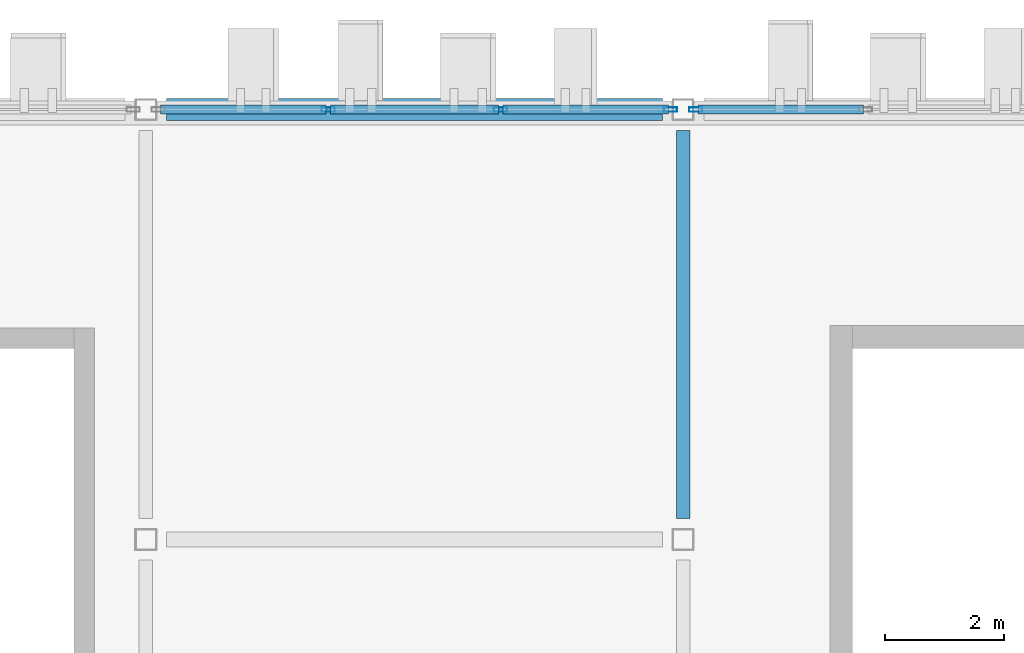
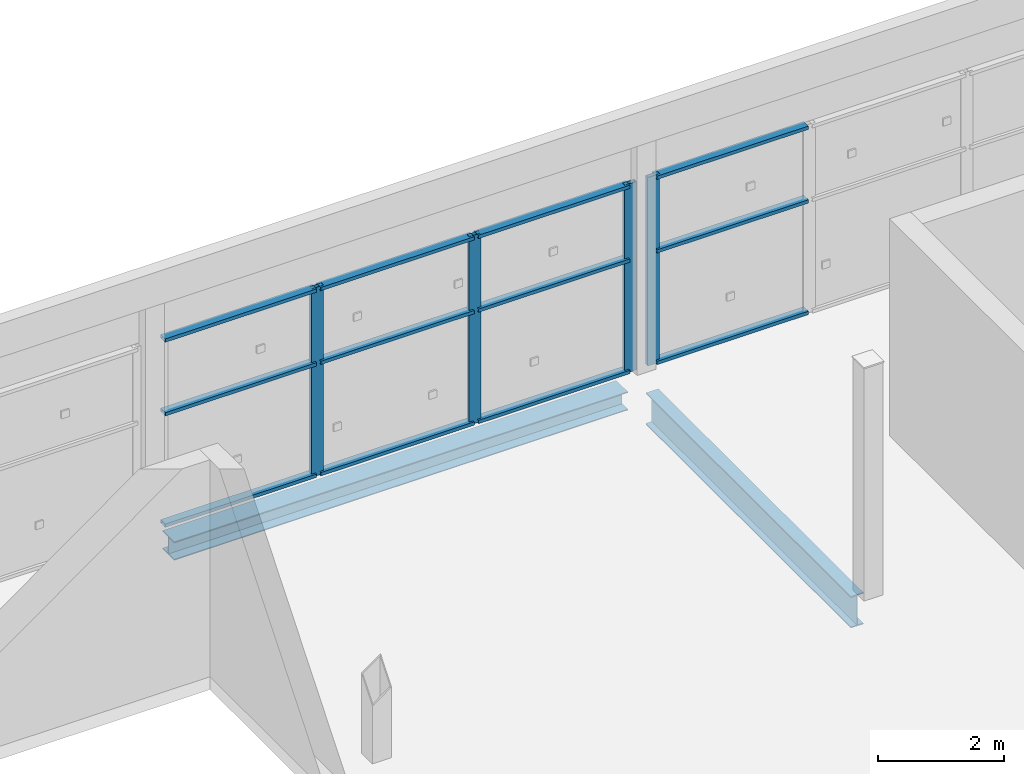
# One storey, part 71 of 124: 16 members, 2 beams, 2 elements without a shape of their own.
"""IFC4 building model written with IfcOpenShell, lengths in metres."""

from ifc_helpers import new_model, si_unit, direction, frame, origin, origin_2d, place, context, subcontext, project, spatial, hollow_rectangle, i_section, extrude, material, layer, layer_set, material_profile, profile_set, type_object, element, aggregate, save


model = new_model("IFC4")

# Units and contexts
model_context = context("Model", 3, precision=1e-05, world=origin(), true_north=direction((0.0, 1.0)))
body_context = subcontext(model_context, "Body", "Model", "MODEL_VIEW")
ifc_project = project(units=[si_unit("LENGTHUNIT", "METRE"), si_unit("AREAUNIT", "SQUARE_METRE"), si_unit("VOLUMEUNIT", "CUBIC_METRE"), si_unit("PLANEANGLEUNIT", "RADIAN"), si_unit("MASSUNIT", "GRAM", prefix="KILO")], contexts=[model_context])

# Site, building, storey
site_placement = place(None, origin())
site = spatial("IfcSite", under=ifc_project, at=site_placement, CompositionType="ELEMENT")
building_placement = place(site_placement, origin())
building = spatial("IfcBuilding", under=site, at=building_placement, Name="Celestram Park Convention Centre", CompositionType="ELEMENT")
storey_placement = place(building_placement, frame((0.0, 0.0, 15.300048828125)))
storey = spatial("IfcBuildingStorey", under=building, at=storey_placement, Name="L03", CompositionType="ELEMENT", Elevation=15.300048828125)

# Curtain wall, members
ifc_material_1 = material(Name="Anodised Aluminium Alloy 6063-T6", Category="aluminium")
ifc_layer = layer(ifc_material_1, 0.179931640625)
ifc_layer_set = layer_set([ifc_layer], Name="Anodised Aluminium Alloy 6063-T6")
curtain_wall_type = type_object("IfcCurtainWallType", Name="ARC-CW-865X365", PredefinedType="NOTDEFINED", material=ifc_layer_set)
curtain_wall_1_placement = place(storey_placement, origin())
curtain_wall_1 = element("IfcCurtainWall", 1, at=curtain_wall_1_placement, inside=storey, type_object=curtain_wall_type, Name="Unitised curtain wall CU-L03-212", PredefinedType="NOTDEFINED")
ifc_material_profile_1 = material_profile(ifc_material_1, hollow_rectangle(XDim=0.074951171875, YDim=0.219970703125, WallThickness=0.00390625, at=origin_2d()), Name="ALU75X220X4")
ifc_profile_set_1 = profile_set([ifc_material_profile_1], Name="Anodised Aluminium Alloy 6063-T6")
member_type_1 = type_object("IfcMemberType", Name="ARC-CWM-180", PredefinedType="MULLION", material=ifc_profile_set_1)
member_1_placement = place(storey_placement, frame((120.0576171875, 165.60009765625, 0.0), z_axis=(0.0, 0.0, 1.0), x_axis=(0.0, 1.0, 0.0)))
member_1 = element("IfcMember", 2, at=member_1_placement, type_object=member_type_1, Name="CW-86X36 mullion 2", PredefinedType="MULLION", context=body_context, shape_type="SweptSolid", body=[
    extrude(hollow_rectangle(XDim=0.074951171875, YDim=0.219970703125, WallThickness=0.00390625, at=origin_2d()), origin(), (0.0, 0.0, 1.0), 3.64794921875),
])
member_2_placement = place(storey_placement, frame((122.9423828125, 165.60009765625, 0.0), z_axis=(0.0, 0.0, 1.0), x_axis=(0.0, 1.0, 0.0)))
member_2 = element("IfcMember", 3, at=member_2_placement, type_object=member_type_1, Name="CW-86X36 mullion 3", PredefinedType="MULLION", context=body_context, shape_type="SweptSolid", body=[
    extrude(hollow_rectangle(XDim=0.074951171875, YDim=0.219970703125, WallThickness=0.00390625, at=origin_2d()), origin(), (0.0, 0.0, 1.0), 3.64794921875),
])
member_3_placement = place(storey_placement, frame((125.78955078125, 165.60009765625, 0.0), z_axis=(0.0, 0.0, 1.0), x_axis=(0.0, 1.0, 0.0)))
member_3 = element("IfcMember", 4, at=member_3_placement, type_object=member_type_1, Name="CW-86X36 mullion 4", PredefinedType="MULLION", context=body_context, shape_type="SweptSolid", body=[
    extrude(hollow_rectangle(XDim=0.074951171875, YDim=0.219970703125, WallThickness=0.00390625, at=origin_2d()), origin(), (0.0, 0.0, 1.0), 3.64794921875),
])

# Curtain wall, member
curtain_wall_2_placement = place(storey_placement, origin())
curtain_wall_2 = element("IfcCurtainWall", 5, at=curtain_wall_2_placement, inside=storey, type_object=curtain_wall_type, Name="Unitised curtain wall CU-L03-213", PredefinedType="NOTDEFINED")
member_4_placement = place(storey_placement, frame((126.21044921875, 165.60009765625, 0.0), z_axis=(0.0, 0.0, 1.0), x_axis=(0.0, 1.0, 0.0)))
member_4 = element("IfcMember", 6, at=member_4_placement, type_object=member_type_1, Name="CW-86X36 mullion 1", PredefinedType="MULLION", context=body_context, shape_type="SweptSolid", body=[
    extrude(hollow_rectangle(XDim=0.074951171875, YDim=0.219970703125, WallThickness=0.00390625, at=origin_2d()), origin(), (0.0, 0.0, 1.0), 3.64794921875),
])

# Member
ifc_material_profile_2 = material_profile(ifc_material_1, hollow_rectangle(XDim=0.14990234375, YDim=0.06494140625, WallThickness=0.0029296875, at=origin_2d()), Name="ALU150X65X3")
ifc_profile_set_2 = profile_set([ifc_material_profile_2], Name="Anodised Aluminium Alloy 6063-T6")
member_type_2 = type_object("IfcMemberType", Name="ARC-CWT-150", PredefinedType="USERDEFINED", material=ifc_profile_set_2)
member_5_placement = place(storey_placement, frame((117.248046875, 165.60009765625, 0.032470703125), z_axis=(1.0, 0.0, 0.0), x_axis=(0.0, 1.0, 0.0)))
member_5 = element("IfcMember", 7, at=member_5_placement, type_object=member_type_2, Name="CW-86X36 transom 1.1", ObjectType="TRANSOM", PredefinedType="USERDEFINED", context=body_context, shape_type="SweptSolid", body=[
    extrude(hollow_rectangle(XDim=0.14990234375, YDim=0.06494140625, WallThickness=0.0029296875, at=origin_2d()), origin(), (0.0, 0.0, 1.0), 2.772216796875),
])

member_6_placement = place(storey_placement, frame((117.248046875, 165.60009765625, 2.18896484375), z_axis=(1.0, 0.0, 0.0), x_axis=(0.0, 1.0, 0.0)))
member_6 = element("IfcMember", 8, at=member_6_placement, type_object=member_type_2, Name="CW-86X36 transom 1.2", ObjectType="TRANSOM", PredefinedType="USERDEFINED", context=body_context, shape_type="SweptSolid", body=[
    extrude(hollow_rectangle(XDim=0.14990234375, YDim=0.06494140625, WallThickness=0.0029296875, at=origin_2d()), origin(), (0.0, 0.0, 1.0), 2.772216796875),
])

member_7_placement = place(storey_placement, frame((117.248046875, 165.60009765625, 3.615478515625), z_axis=(1.0, 0.0, 0.0), x_axis=(0.0, 1.0, 0.0)))
member_7 = element("IfcMember", 9, at=member_7_placement, type_object=member_type_2, Name="CW-86X36 transom 1.3", ObjectType="TRANSOM", PredefinedType="USERDEFINED", context=body_context, shape_type="SweptSolid", body=[
    extrude(hollow_rectangle(XDim=0.14990234375, YDim=0.06494140625, WallThickness=0.0029296875, at=origin_2d()), origin(), (0.0, 0.0, 1.0), 2.772216796875),
])

member_8_placement = place(storey_placement, frame((120.09521484375, 165.60009765625, 0.032470703125), z_axis=(1.0, 0.0, 0.0), x_axis=(0.0, 1.0, 0.0)))
member_8 = element("IfcMember", 10, at=member_8_placement, type_object=member_type_2, Name="CW-86X36 transom 2.1", ObjectType="TRANSOM", PredefinedType="USERDEFINED", context=body_context, shape_type="SweptSolid", body=[
    extrude(hollow_rectangle(XDim=0.14990234375, YDim=0.06494140625, WallThickness=0.0029296875, at=origin_2d()), origin(), (0.0, 0.0, 1.0), 2.8095703125),
])

member_9_placement = place(storey_placement, frame((120.09521484375, 165.60009765625, 2.18896484375), z_axis=(1.0, 0.0, 0.0), x_axis=(0.0, 1.0, 0.0)))
member_9 = element("IfcMember", 11, at=member_9_placement, type_object=member_type_2, Name="CW-86X36 transom 2.2", ObjectType="TRANSOM", PredefinedType="USERDEFINED", context=body_context, shape_type="SweptSolid", body=[
    extrude(hollow_rectangle(XDim=0.14990234375, YDim=0.06494140625, WallThickness=0.0029296875, at=origin_2d()), origin(), (0.0, 0.0, 1.0), 2.8095703125),
])

member_10_placement = place(storey_placement, frame((120.09521484375, 165.60009765625, 3.615478515625), z_axis=(1.0, 0.0, 0.0), x_axis=(0.0, 1.0, 0.0)))
member_10 = element("IfcMember", 12, at=member_10_placement, type_object=member_type_2, Name="CW-86X36 transom 2.3", ObjectType="TRANSOM", PredefinedType="USERDEFINED", context=body_context, shape_type="SweptSolid", body=[
    extrude(hollow_rectangle(XDim=0.14990234375, YDim=0.06494140625, WallThickness=0.0029296875, at=origin_2d()), origin(), (0.0, 0.0, 1.0), 2.8095703125),
])

member_11_placement = place(storey_placement, frame((122.979736328125, 165.60009765625, 0.032470703125), z_axis=(1.0, 0.0, 0.0), x_axis=(0.0, 1.0, 0.0)))
member_11 = element("IfcMember", 13, at=member_11_placement, type_object=member_type_2, Name="CW-86X36 transom 3.1", ObjectType="TRANSOM", PredefinedType="USERDEFINED", context=body_context, shape_type="SweptSolid", body=[
    extrude(hollow_rectangle(XDim=0.14990234375, YDim=0.06494140625, WallThickness=0.0029296875, at=origin_2d()), origin(), (0.0, 0.0, 1.0), 2.772216796875),
])

member_12_placement = place(storey_placement, frame((122.979736328125, 165.60009765625, 2.18896484375), z_axis=(1.0, 0.0, 0.0), x_axis=(0.0, 1.0, 0.0)))
member_12 = element("IfcMember", 14, at=member_12_placement, type_object=member_type_2, Name="CW-86X36 transom 3.2", ObjectType="TRANSOM", PredefinedType="USERDEFINED", context=body_context, shape_type="SweptSolid", body=[
    extrude(hollow_rectangle(XDim=0.14990234375, YDim=0.06494140625, WallThickness=0.0029296875, at=origin_2d()), origin(), (0.0, 0.0, 1.0), 2.772216796875),
])

member_13_placement = place(storey_placement, frame((122.979736328125, 165.60009765625, 3.615478515625), z_axis=(1.0, 0.0, 0.0), x_axis=(0.0, 1.0, 0.0)))
member_13 = element("IfcMember", 15, at=member_13_placement, type_object=member_type_2, Name="CW-86X36 transom 3.3", ObjectType="TRANSOM", PredefinedType="USERDEFINED", context=body_context, shape_type="SweptSolid", body=[
    extrude(hollow_rectangle(XDim=0.14990234375, YDim=0.06494140625, WallThickness=0.0029296875, at=origin_2d()), origin(), (0.0, 0.0, 1.0), 2.772216796875),
])

aggregate(curtain_wall_1, [member_1, member_2, member_3, member_5, member_6, member_7, member_8, member_9, member_10, member_11, member_12, member_13])

member_14_placement = place(storey_placement, frame((126.248046875, 165.60009765625, 0.032470703125), z_axis=(1.0, 0.0, 0.0), x_axis=(0.0, 1.0, 0.0)))
member_14 = element("IfcMember", 16, at=member_14_placement, type_object=member_type_2, Name="CW-86X36 transom 1.1", ObjectType="TRANSOM", PredefinedType="USERDEFINED", context=body_context, shape_type="SweptSolid", body=[
    extrude(hollow_rectangle(XDim=0.14990234375, YDim=0.06494140625, WallThickness=0.0029296875, at=origin_2d()), origin(), (0.0, 0.0, 1.0), 2.772216796875),
])

member_15_placement = place(storey_placement, frame((126.248046875, 165.60009765625, 2.18896484375), z_axis=(1.0, 0.0, 0.0), x_axis=(0.0, 1.0, 0.0)))
member_15 = element("IfcMember", 17, at=member_15_placement, type_object=member_type_2, Name="CW-86X36 transom 1.2", ObjectType="TRANSOM", PredefinedType="USERDEFINED", context=body_context, shape_type="SweptSolid", body=[
    extrude(hollow_rectangle(XDim=0.14990234375, YDim=0.06494140625, WallThickness=0.0029296875, at=origin_2d()), origin(), (0.0, 0.0, 1.0), 2.772216796875),
])

member_16_placement = place(storey_placement, frame((126.248046875, 165.60009765625, 3.615478515625), z_axis=(1.0, 0.0, 0.0), x_axis=(0.0, 1.0, 0.0)))
member_16 = element("IfcMember", 18, at=member_16_placement, type_object=member_type_2, Name="CW-86X36 transom 1.3", ObjectType="TRANSOM", PredefinedType="USERDEFINED", context=body_context, shape_type="SweptSolid", body=[
    extrude(hollow_rectangle(XDim=0.14990234375, YDim=0.06494140625, WallThickness=0.0029296875, at=origin_2d()), origin(), (0.0, 0.0, 1.0), 2.772216796875),
])

aggregate(curtain_wall_2, [member_4, member_14, member_15, member_16])

# Beams
ifc_material_2 = material(Name="Steel ASTM A992 Grade 50", Category="steel")
ifc_material_profile_3 = material_profile(ifc_material_2, i_section(OverallWidth=0.22900390625, OverallDepth=0.612060546875, WebThickness=0.011962890625, FlangeThickness=0.01953125, at=origin_2d()), Name="W24X84")
ifc_profile_set_3 = profile_set([ifc_material_profile_3], Name="Steel ASTM A992 Grade 50")
beam_type_1 = type_object("IfcBeamType", Name="STR-BM-W24X84", PredefinedType="BEAM", material=ifc_profile_set_3)
beam_1_placement = place(storey_placement, frame((126.0, 158.748046875, -0.55615234375), z_axis=(0.0, 1.0, 0.0), x_axis=(-1.0, 0.0, 0.0)))
element("IfcBeam", 19, at=beam_1_placement, inside=storey, type_object=beam_type_1, Name="Primary Y-girder BG-L03-0179", PredefinedType="BEAM", context=body_context, shape_type="SweptSolid", body=[
    extrude(i_section(OverallWidth=0.22900390625, OverallDepth=0.612060546875, WebThickness=0.011962890625, FlangeThickness=0.01953125, at=origin_2d()), origin(), (0.0, 0.0, 1.0), 6.50390625),
])
ifc_material_profile_4 = material_profile(ifc_material_2, i_section(OverallWidth=0.367919921875, OverallDepth=0.35595703125, WebThickness=0.01123046875, FlangeThickness=0.01806640625, at=origin_2d()), Name="W14X90")
ifc_profile_set_4 = profile_set([ifc_material_profile_4], Name="Steel ASTM A992 Grade 50")
beam_type_2 = type_object("IfcBeamType", Name="STR-SPN-W14X90", PredefinedType="SPANDREL", material=ifc_profile_set_4)
beam_2_placement = place(storey_placement, frame((117.347900390625, 165.60009765625, -0.427978515625), z_axis=(1.0, 0.0, 0.0), x_axis=(0.0, 1.0, 0.0)))
element("IfcBeam", 20, at=beam_2_placement, inside=storey, type_object=beam_type_2, Name="Primary X-girder BG-L03-0146", PredefinedType="SPANDREL", context=body_context, shape_type="SweptSolid", body=[
    extrude(i_section(OverallWidth=0.367919921875, OverallDepth=0.35595703125, WebThickness=0.01123046875, FlangeThickness=0.01806640625, at=origin_2d()), origin(), (0.0, 0.0, 1.0), 8.30419921875),
])

save(model, "model.ifc")
